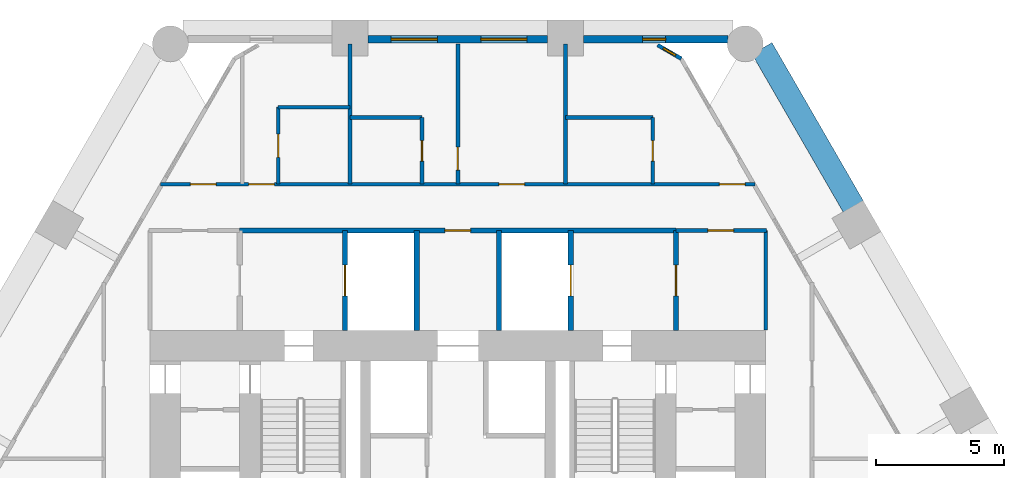
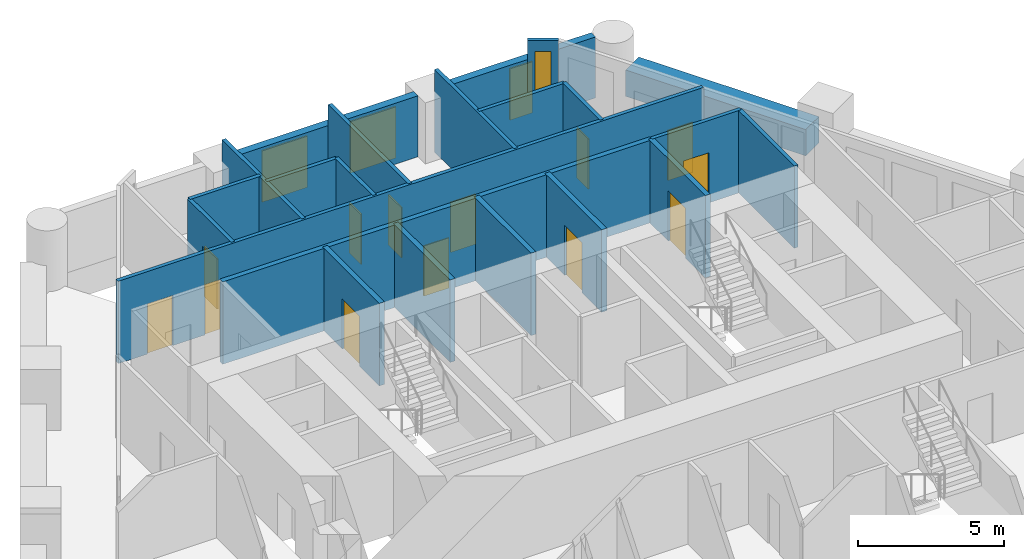
# One storey, part 6 of 8: 22 walls, 13 doors, 4 windows, 17 openings.
"""IFC4 building model written with IfcOpenShell, lengths in metres."""

from ifc_helpers import new_model, si_unit, direction, frame, frame_2d, origin, place, context, subcontext, project, spatial, rectangle, extrude, material, layer, layer_set, type_object, element, fill, save


model = new_model("IFC4")

# Units and contexts
model_context = context("Model", 3, precision=1e-05, world=origin(), true_north=direction((0.0, 1.0)))
body_context = subcontext(model_context, "Body", "Model", "MODEL_VIEW")
ifc_project = project(units=[si_unit("LENGTHUNIT", "METRE"), si_unit("AREAUNIT", "SQUARE_METRE"), si_unit("VOLUMEUNIT", "CUBIC_METRE"), si_unit("PLANEANGLEUNIT", "RADIAN"), si_unit("MASSUNIT", "GRAM", prefix="KILO")], contexts=[model_context])

# Site, building, storey
site_placement = place(None, origin())
site = spatial("IfcSite", under=ifc_project, at=site_placement, CompositionType="ELEMENT")
building_placement = place(site_placement, origin())
building = spatial("IfcBuilding", under=site, at=building_placement, Name="Ostrander Bayou Hotel Tower", CompositionType="ELEMENT")
storey_placement = place(building_placement, frame((0.0, 0.0, 61.75)))
storey = spatial("IfcBuildingStorey", under=building, at=storey_placement, Name="L15", CompositionType="ELEMENT", Elevation=61.75)

# Wall, opening, window
ifc_material_1 = material(Name="Aluminium framed insulated wall", Category="aluminium")
ifc_layer_1 = layer(ifc_material_1, 0.14990234375)
ifc_layer_set_1 = layer_set([ifc_layer_1], Name="GW1 glass-line wall 150 mm")
wall_type_1 = type_object("IfcWallType", Name="GW1 glass-line wall 150 mm", PredefinedType="SOLIDWALL", material=ifc_layer_set_1)
wall_1_placement = place(storey_placement, frame((8.708984375, 20.29248046875, 0.0), z_axis=(0.0, 0.0, 1.0), x_axis=(-0.865990848561, 0.500059846627, 0.0)))
wall_1 = element("IfcWall", 1, at=wall_1_placement, inside=storey, type_object=wall_type_1, Name="GW1 L15 corner 6", PredefinedType="SOLIDWALL", context=body_context, shape_type="SweptSolid", body=[
    extrude(rectangle(XDim=1.064697265625, YDim=0.14990234375, at=frame_2d((0.5322265625, 0.0))), origin(), (0.0, 0.0, 1.0), 3.449951171875),
])
opening_1_placement = place(wall_1_placement, frame((0.257568359375, 0.0, 0.14990234375)))
opening_1 = element("IfcOpeningElement", 2, at=opening_1_placement, cuts=wall_1, Name="Opening W19", PredefinedType="OPENING", context=body_context, shape_type="SweptSolid", body=[
    extrude(rectangle(XDim=0.550048828125, YDim=2.85009765625, at=frame_2d((0.27490234375, 1.425048828125))), frame((0.0, 0.074951171875, 0.0), z_axis=(0.0, -1.0, 0.0), x_axis=(1.0, 0.0, 0.0)), (0.0, 0.0, 1.0), 0.14990234375),
])
ifc_material_2 = material(Name="Aluminium and clear glass", Category="aluminium")
window_type_1 = type_object("IfcWindowType", Name="W19 corner window 550 mm", PartitioningType="SINGLE_PANEL", PredefinedType="WINDOW", material=ifc_material_2)
window_1_placement = place(opening_1_placement, origin())
window_1 = element("IfcWindow", 3, at=window_1_placement, inside=storey, type_object=window_type_1, Name="W19 L15 corner 6", OverallHeight=2.85009765625, OverallWidth=0.550048828125, PartitioningType="SINGLE_PANEL", PredefinedType="WINDOW", context=body_context, shape_type="SweptSolid", body=[
    extrude(rectangle(XDim=0.550048828125, YDim=2.85009765625, at=frame_2d((0.27490234375, 1.425048828125))), frame((0.0, 0.030029296875, 0.0), z_axis=(0.0, -1.0, 0.0), x_axis=(1.0, 0.0, 0.0)), (0.0, 0.0, 1.0), 0.06005859375),
])
fill(opening_1, window_1)

ifc_material_3 = material(Name="Reconstituted stone on masonry backing", Category="masonry")
ifc_layer_2 = layer(ifc_material_3, 0.300048828125)
ifc_layer_set_2 = layer_set([ifc_layer_2], Name="NW1 north stone wall 300 mm")
wall_type_2 = type_object("IfcWallType", Name="NW1 north stone wall 300 mm", PredefinedType="SOLIDWALL", material=ifc_layer_set_2)
wall_2_placement = place(storey_placement, frame((10.526123046875, 21.050048828125, 0.0), z_axis=(0.0, 0.0, 1.0), x_axis=(-1.0, 0.0, 0.0)))
wall_2 = element("IfcWall", 4, at=wall_2_placement, inside=storey, type_object=wall_type_2, Name="NW1 L15 N-1", PredefinedType="SOLIDWALL", context=body_context, shape_type="SweptSolid", body=[
    extrude(rectangle(XDim=5.630615234375, YDim=0.300048828125, at=frame_2d((2.8154296875, 0.0))), origin(), (0.0, 0.0, 1.0), 2.550048828125),
])
opening_2_placement = place(wall_2_placement, frame((2.42333984375, 0.0, 0.14990234375)))
opening_2 = element("IfcOpeningElement", 5, at=opening_2_placement, cuts=wall_2, Name="Opening W15", PredefinedType="OPENING", context=body_context, shape_type="SweptSolid", body=[
    extrude(rectangle(XDim=0.89990234375, YDim=2.14990234375, at=frame_2d((0.449951171875, 1.074951171875))), frame((0.0, 0.14990234375, 0.0), z_axis=(0.0, -1.0, 0.0), x_axis=(1.0, 0.0, 0.0)), (0.0, 0.0, 1.0), 0.300048828125),
])
ifc_material_4 = material(Name="Aluminium and clear glass", Category="aluminium")
window_type_2 = type_object("IfcWindowType", Name="W15 window 900 mm, zone 1", PartitioningType="SINGLE_PANEL", PredefinedType="WINDOW", material=ifc_material_4)
window_2_placement = place(opening_2_placement, origin())
window_2 = element("IfcWindow", 6, at=window_2_placement, inside=storey, type_object=window_type_2, Name="W15 L15 north N-1", OverallHeight=2.14990234375, OverallWidth=0.89990234375, PartitioningType="SINGLE_PANEL", PredefinedType="WINDOW", context=body_context, shape_type="SweptSolid", body=[
    extrude(rectangle(XDim=0.89990234375, YDim=2.14990234375, at=frame_2d((0.449951171875, 1.074951171875))), frame((0.0, 0.030029296875, 0.0), z_axis=(0.0, -1.0, 0.0), x_axis=(1.0, 0.0, 0.0)), (0.0, 0.0, 1.0), 0.06005859375),
])
fill(opening_2, window_2)

# Wall, openings, windows
wall_3_placement = place(storey_placement, frame((3.495361328125, 21.050048828125, 0.0), z_axis=(0.0, 0.0, 1.0), x_axis=(-1.0, 0.0, 0.0)))
wall_3 = element("IfcWall", 7, at=wall_3_placement, inside=storey, type_object=wall_type_2, Name="NW1 L15 N-2", PredefinedType="SOLIDWALL", context=body_context, shape_type="SweptSolid", body=[
    extrude(rectangle(XDim=6.99072265625, YDim=0.300048828125, at=frame_2d((3.495361328125, 0.0))), origin(), (0.0, 0.0, 1.0), 2.550048828125),
])
opening_3_placement = place(wall_3_placement, frame((0.800048828125, 0.0, 0.14990234375)))
opening_3 = element("IfcOpeningElement", 8, at=opening_3_placement, cuts=wall_3, Name="Opening W1", PredefinedType="OPENING", context=body_context, shape_type="SweptSolid", body=[
    extrude(rectangle(XDim=1.800048828125, YDim=2.14990234375, at=frame_2d((0.89990234375, 1.074951171875))), frame((0.0, 0.14990234375, 0.0), z_axis=(0.0, -1.0, 0.0), x_axis=(1.0, 0.0, 0.0)), (0.0, 0.0, 1.0), 0.300048828125),
])
opening_4_placement = place(wall_3_placement, frame((4.29541015625, 0.0, 0.14990234375)))
opening_4 = element("IfcOpeningElement", 9, at=opening_4_placement, cuts=wall_3, Name="Opening W1", PredefinedType="OPENING", context=body_context, shape_type="SweptSolid", body=[
    extrude(rectangle(XDim=1.800048828125, YDim=2.14990234375, at=frame_2d((0.89990234375, 1.074951171875))), frame((0.0, 0.14990234375, 0.0), z_axis=(0.0, -1.0, 0.0), x_axis=(1.0, 0.0, 0.0)), (0.0, 0.0, 1.0), 0.300048828125),
])
ifc_material_5 = material(Name="Aluminium and clear glass", Category="aluminium")
window_type_3 = type_object("IfcWindowType", Name="W1 fixed window 1800 mm, zone 1", PartitioningType="SINGLE_PANEL", PredefinedType="WINDOW", material=ifc_material_5)
window_3_placement = place(opening_3_placement, origin())
window_3 = element("IfcWindow", 10, at=window_3_placement, inside=storey, type_object=window_type_3, Name="W1 L15 north N-2", OverallHeight=2.14990234375, OverallWidth=1.800048828125, PartitioningType="SINGLE_PANEL", PredefinedType="WINDOW", context=body_context, shape_type="SweptSolid", body=[
    extrude(rectangle(XDim=1.800048828125, YDim=2.14990234375, at=frame_2d((0.89990234375, 1.074951171875))), frame((0.0, 0.030029296875, 0.0), z_axis=(0.0, -1.0, 0.0), x_axis=(1.0, 0.0, 0.0)), (0.0, 0.0, 1.0), 0.06005859375),
])
fill(opening_3, window_3)
window_4_placement = place(opening_4_placement, origin())
window_4 = element("IfcWindow", 11, at=window_4_placement, inside=storey, type_object=window_type_3, Name="W1 L15 north N-2-2", OverallHeight=2.14990234375, OverallWidth=1.800048828125, PartitioningType="SINGLE_PANEL", PredefinedType="WINDOW", context=body_context, shape_type="SweptSolid", body=[
    extrude(rectangle(XDim=1.800048828125, YDim=2.14990234375, at=frame_2d((0.89990234375, 1.074951171875))), frame((0.0, 0.030029296875, 0.0), z_axis=(0.0, -1.0, 0.0), x_axis=(1.0, 0.0, 0.0)), (0.0, 0.0, 1.0), 0.06005859375),
])
fill(opening_4, window_4)

# Wall
ifc_material_6 = material(Name="Concrete f'c 40 MPa", Category="concrete")
ifc_layer_3 = layer(ifc_material_6, 0.89990234375)
ifc_layer_set_3 = layer_set([ifc_layer_3], Name="PA1 stone-faced parapet 900 mm")
wall_type_3 = type_object("IfcWallType", Name="PA1 stone-faced parapet 900 mm", PredefinedType="PARAPET", material=ifc_layer_set_3)
wall_4_placement = place(storey_placement, frame((15.419189453125, 14.5205078125, 0.0), z_axis=(0.0, 0.0, 1.0), x_axis=(-0.500013966327, 0.866017340172, 0.0)))
element("IfcWall", 12, at=wall_4_placement, inside=storey, type_object=wall_type_3, Name="PA1 L15 NE-3", PredefinedType="PARAPET", context=body_context, shape_type="SweptSolid", body=[
    extrude(rectangle(XDim=7.128662109375, YDim=0.89990234375, at=frame_2d((3.564453125, 0.0))), origin(), (0.0, 0.0, 1.0), 1.10009765625),
])

# Wall, opening, door
ifc_material_7 = material(Name="Masonry block", Category="masonry")
ifc_layer_4 = layer(ifc_material_7, 0.199951171875)
ifc_layer_set_4 = layer_set([ifc_layer_4], Name="PT5 stair enclosure wall 200 mm masonry, 2 hour")
wall_type_4 = type_object("IfcWallType", Name="PT5 stair enclosure wall 200 mm masonry, 2 hour", PredefinedType="PARTITIONING", material=ifc_layer_set_4)
wall_5_placement = place(storey_placement, frame((-8.5, 13.60009765625, 0.0), z_axis=(0.0, 0.0, 1.0), x_axis=(1.0, 0.0, 0.0)))
wall_5 = element("IfcWall", 13, at=wall_5_placement, inside=storey, type_object=wall_type_4, Name="cs:L15:025", PredefinedType="PARTITIONING", context=body_context, shape_type="SweptSolid", body=[
    extrude(rectangle(XDim=17.0, YDim=0.199951171875, at=frame_2d((8.5, 0.0))), origin(), (0.0, 0.0, 1.0), 3.449951171875),
])
opening_5_placement = place(wall_5_placement, frame((8.0, 0.0, 0.0)))
opening_5 = element("IfcOpeningElement", 14, at=opening_5_placement, cuts=wall_5, Name="Opening T15-013", PredefinedType="OPENING", context=body_context, shape_type="SweptSolid", body=[
    extrude(rectangle(XDim=1.0, YDim=2.10009765625, at=frame_2d((0.5, 1.050048828125))), frame((0.0, 0.10009765625, 0.0), z_axis=(0.0, -1.0, 0.0), x_axis=(1.0, 0.0, 0.0)), (0.0, 0.0, 1.0), 0.199951171875),
])
ifc_material_8 = material(Name="Timber door leaf", Category="wood")
door_type_1 = type_object("IfcDoorType", Name="D9 service door 1000 x 2100 mm, 30 minute", OperationType="SINGLE_SWING_LEFT", PredefinedType="DOOR", material=ifc_material_8)
door_1_placement = place(opening_5_placement, origin())
door_1 = element("IfcDoor", 15, at=door_1_placement, inside=storey, type_object=door_type_1, Name="dr:L15:013", OperationType="SINGLE_SWING_LEFT", OverallHeight=2.10009765625, OverallWidth=1.0, PredefinedType="DOOR", context=body_context, shape_type="SweptSolid", body=[
    extrude(rectangle(XDim=1.0, YDim=2.10009765625, at=frame_2d((0.5, 1.050048828125))), frame((0.0, 0.02490234375, 0.0), z_axis=(0.0, -1.0, 0.0), x_axis=(1.0, 0.0, 0.0)), (0.0, 0.0, 1.0), 0.050048828125),
])
fill(opening_5, door_1)

wall_6_placement = place(storey_placement, frame((8.5, 9.699951171875, 0.0), z_axis=(0.0, 0.0, 1.0), x_axis=(0.0, 1.0, 0.0)))
wall_6 = element("IfcWall", 16, at=wall_6_placement, inside=storey, type_object=wall_type_4, Name="cs:L15:027", PredefinedType="PARTITIONING", context=body_context, shape_type="SweptSolid", body=[
    extrude(rectangle(XDim=3.900146484375, YDim=0.199951171875, at=frame_2d((1.9501953125, 0.0))), origin(), (0.0, 0.0, 1.0), 3.449951171875),
])
opening_6_placement = place(wall_6_placement, frame((1.35009765625, 0.0, 0.0)))
opening_6 = element("IfcOpeningElement", 17, at=opening_6_placement, cuts=wall_6, Name="Opening T15-012", PredefinedType="OPENING", context=body_context, shape_type="SweptSolid", body=[
    extrude(rectangle(XDim=1.199951171875, YDim=2.10009765625, at=frame_2d((0.60009765625, 1.050048828125))), frame((0.0, 0.10009765625, 0.0), z_axis=(0.0, -1.0, 0.0), x_axis=(1.0, 0.0, 0.0)), (0.0, 0.0, 1.0), 0.199951171875),
])
ifc_material_9 = material(Name="Timber door leaf", Category="wood")
door_type_2 = type_object("IfcDoorType", Name="D7 lobby door 1200 x 2100 mm, 1 hour", OperationType="SINGLE_SWING_LEFT", PredefinedType="DOOR", material=ifc_material_9)
door_2_placement = place(opening_6_placement, origin())
door_2 = element("IfcDoor", 18, at=door_2_placement, inside=storey, type_object=door_type_2, Name="dr:L15:012", OperationType="SINGLE_SWING_LEFT", OverallHeight=2.10009765625, OverallWidth=1.199951171875, PredefinedType="DOOR", context=body_context, shape_type="SweptSolid", body=[
    extrude(rectangle(XDim=1.199951171875, YDim=2.10009765625, at=frame_2d((0.60009765625, 1.050048828125))), frame((0.0, 0.02490234375, 0.0), z_axis=(0.0, -1.0, 0.0), x_axis=(1.0, 0.0, 0.0)), (0.0, 0.0, 1.0), 0.050048828125),
])
fill(opening_6, door_2)

wall_7_placement = place(storey_placement, frame((-4.39990234375, 9.699951171875, 0.0), z_axis=(0.0, 0.0, 1.0), x_axis=(0.0, 1.0, 0.0)))
wall_7 = element("IfcWall", 19, at=wall_7_placement, inside=storey, type_object=wall_type_4, Name="cs:L15:028", PredefinedType="PARTITIONING", context=body_context, shape_type="SweptSolid", body=[
    extrude(rectangle(XDim=3.900146484375, YDim=0.199951171875, at=frame_2d((1.9501953125, 0.0))), origin(), (0.0, 0.0, 1.0), 3.449951171875),
])
opening_7_placement = place(wall_7_placement, frame((1.35009765625, 0.0, 0.0)))
opening_7 = element("IfcOpeningElement", 20, at=opening_7_placement, cuts=wall_7, Name="Opening T15-009", PredefinedType="OPENING", context=body_context, shape_type="SweptSolid", body=[
    extrude(rectangle(XDim=1.199951171875, YDim=2.10009765625, at=frame_2d((0.60009765625, 1.050048828125))), frame((0.0, 0.10009765625, 0.0), z_axis=(0.0, -1.0, 0.0), x_axis=(1.0, 0.0, 0.0)), (0.0, 0.0, 1.0), 0.199951171875),
])
ifc_material_10 = material(Name="Stainless steel sliding door", Category="steel")
door_type_3 = type_object("IfcDoorType", Name="LD1 lift landing door 1200 x 2100 mm", OperationType="SINGLE_SWING_LEFT", PredefinedType="DOOR", material=ifc_material_10)
door_3_placement = place(opening_7_placement, origin())
door_3 = element("IfcDoor", 21, at=door_3_placement, inside=storey, type_object=door_type_3, Name="dr:L15:009", OperationType="SLIDING_TO_LEFT", OverallHeight=2.10009765625, OverallWidth=1.199951171875, PredefinedType="DOOR", context=body_context, shape_type="SweptSolid", body=[
    extrude(rectangle(XDim=1.199951171875, YDim=2.10009765625, at=frame_2d((0.60009765625, 1.050048828125))), frame((0.0, 0.02490234375, 0.0), z_axis=(0.0, -1.0, 0.0), x_axis=(1.0, 0.0, 0.0)), (0.0, 0.0, 1.0), 0.050048828125),
])
fill(opening_7, door_3)

wall_8_placement = place(storey_placement, frame((4.39990234375, 9.699951171875, 0.0), z_axis=(0.0, 0.0, 1.0), x_axis=(0.0, 1.0, 0.0)))
wall_8 = element("IfcWall", 22, at=wall_8_placement, inside=storey, type_object=wall_type_4, Name="cs:L15:029", PredefinedType="PARTITIONING", context=body_context, shape_type="SweptSolid", body=[
    extrude(rectangle(XDim=3.900146484375, YDim=0.199951171875, at=frame_2d((1.9501953125, 0.0))), origin(), (0.0, 0.0, 1.0), 3.449951171875),
])
opening_8_placement = place(wall_8_placement, frame((1.35009765625, 0.0, 0.0)))
opening_8 = element("IfcOpeningElement", 23, at=opening_8_placement, cuts=wall_8, Name="Opening T15-011", PredefinedType="OPENING", context=body_context, shape_type="SweptSolid", body=[
    extrude(rectangle(XDim=1.199951171875, YDim=2.10009765625, at=frame_2d((0.60009765625, 1.050048828125))), frame((0.0, 0.10009765625, 0.0), z_axis=(0.0, -1.0, 0.0), x_axis=(1.0, 0.0, 0.0)), (0.0, 0.0, 1.0), 0.199951171875),
])
door_4_placement = place(opening_8_placement, origin())
door_4 = element("IfcDoor", 24, at=door_4_placement, inside=storey, type_object=door_type_3, Name="dr:L15:011", OperationType="SLIDING_TO_LEFT", OverallHeight=2.10009765625, OverallWidth=1.199951171875, PredefinedType="DOOR", context=body_context, shape_type="SweptSolid", body=[
    extrude(rectangle(XDim=1.199951171875, YDim=2.10009765625, at=frame_2d((0.60009765625, 1.050048828125))), frame((0.0, 0.02490234375, 0.0), z_axis=(0.0, -1.0, 0.0), x_axis=(1.0, 0.0, 0.0)), (0.0, 0.0, 1.0), 0.050048828125),
])
fill(opening_8, door_4)

# Walls
ifc_material_11 = material(Name="Masonry block", Category="masonry")
ifc_layer_5 = layer(ifc_material_11, 0.199951171875)
ifc_layer_set_5 = layer_set([ifc_layer_5], Name="PT6 lift shaft wall 200 mm masonry, 2 hour")
wall_type_5 = type_object("IfcWallType", Name="PT6 lift shaft wall 200 mm masonry, 2 hour", PredefinedType="PARTITIONING", material=ifc_layer_set_5)
for number, where, z_axis, x_axis, name in (
    (25, (-1.60009765625, 9.699951171875, 0.0), (0.0, 0.0, 1.0), (0.0, 1.0, 0.0), "cs:L15:030"),
    (26, (1.60009765625, 9.699951171875, 0.0), (0.0, 0.0, 1.0), (0.0, 1.0, 0.0), "cs:L15:031"),
):
    element("IfcWall", number, at=place(storey_placement, frame(where, z_axis=z_axis, x_axis=x_axis)), inside=storey, type_object=wall_type_5, Name=name, PredefinedType="PARTITIONING", context=body_context, shape_type="SweptSolid", body=[
        extrude(rectangle(XDim=3.900146484375, YDim=0.199951171875, at=frame_2d((1.9501953125, 0.0))), origin(), (0.0, 0.0, 1.0), 3.449951171875),
    ])

# Wall, opening, door
ifc_material_12 = material(Name="Gypsum board partition", Category="finish")
ifc_layer_6 = layer(ifc_material_12, 0.14990234375)
ifc_layer_set_6 = layer_set([ifc_layer_6], Name="PT8 service band wall 150 mm, 1 hour")
wall_type_6 = type_object("IfcWallType", Name="PT8 service band wall 150 mm, 1 hour", PredefinedType="PARTITIONING", material=ifc_layer_set_6)
wall_9_placement = place(storey_placement, frame((8.510009765625, 13.60009765625, 0.0), z_axis=(0.0, 0.0, 1.0), x_axis=(1.0, 0.0, 0.0)))
wall_9 = element("IfcWall", 27, at=wall_9_placement, inside=storey, type_object=wall_type_6, Name="gw:L15:011", PredefinedType="PARTITIONING", context=body_context, shape_type="SweptSolid", body=[
    extrude(rectangle(XDim=3.530029296875, YDim=0.14990234375, at=frame_2d((1.76513671875, 0.0))), origin(), (0.0, 0.0, 1.0), 3.449951171875),
])
opening_9_placement = place(wall_9_placement, frame((1.239990234375, 0.0, 0.0)))
opening_9 = element("IfcOpeningElement", 28, at=opening_9_placement, cuts=wall_9, Name="Opening T15-422", PredefinedType="OPENING", context=body_context, shape_type="SweptSolid", body=[
    extrude(rectangle(XDim=1.0, YDim=2.10009765625, at=frame_2d((0.5, 1.050048828125))), frame((0.0, 0.074951171875, 0.0), z_axis=(0.0, -1.0, 0.0), x_axis=(1.0, 0.0, 0.0)), (0.0, 0.0, 1.0), 0.14990234375),
])
door_5_placement = place(opening_9_placement, origin())
door_5 = element("IfcDoor", 29, at=door_5_placement, inside=storey, type_object=door_type_1, Name="dr:L15:422", OperationType="SINGLE_SWING_LEFT", OverallHeight=2.10009765625, OverallWidth=1.0, PredefinedType="DOOR", context=body_context, shape_type="SweptSolid", body=[
    extrude(rectangle(XDim=1.0, YDim=2.10009765625, at=frame_2d((0.5, 1.050048828125))), frame((0.0, 0.02490234375, 0.0), z_axis=(0.0, -1.0, 0.0), x_axis=(1.0, 0.0, 0.0)), (0.0, 0.0, 1.0), 0.050048828125),
])
fill(opening_9, door_5)

# Wall, openings, doors
wall_10_placement = place(storey_placement, frame((-11.5859375, 15.39990234375, 0.0), z_axis=(0.0, 0.0, 1.0), x_axis=(1.0, 0.0, 0.0)))
wall_10 = element("IfcWall", 30, at=wall_10_placement, inside=storey, type_object=wall_type_6, Name="gw:L15:012", PredefinedType="PARTITIONING", context=body_context, shape_type="SweptSolid", body=[
    extrude(rectangle(XDim=23.171875, YDim=0.14990234375, at=frame_2d((11.5859375, 0.0))), origin(), (0.0, 0.0, 1.0), 3.449951171875),
])
opening_10_placement = place(wall_10_placement, frame((1.1640625, 0.0, 0.0)))
opening_10 = element("IfcOpeningElement", 31, at=opening_10_placement, cuts=wall_10, Name="Opening T15-413", PredefinedType="OPENING", context=body_context, shape_type="SweptSolid", body=[
    extrude(rectangle(XDim=1.0, YDim=2.10009765625, at=frame_2d((0.5, 1.050048828125))), frame((0.0, 0.074951171875, 0.0), z_axis=(0.0, -1.0, 0.0), x_axis=(1.0, 0.0, 0.0)), (0.0, 0.0, 1.0), 0.14990234375),
])
opening_11_placement = place(wall_10_placement, frame((3.43603515625, 0.0, 0.0)))
opening_11 = element("IfcOpeningElement", 32, at=opening_11_placement, cuts=wall_10, Name="Opening T15-414", PredefinedType="OPENING", context=body_context, shape_type="SweptSolid", body=[
    extrude(rectangle(XDim=1.0, YDim=2.10009765625, at=frame_2d((0.5, 1.050048828125))), frame((0.0, 0.074951171875, 0.0), z_axis=(0.0, -1.0, 0.0), x_axis=(1.0, 0.0, 0.0)), (0.0, 0.0, 1.0), 0.14990234375),
])
opening_12_placement = place(wall_10_placement, frame((13.18603515625, 0.0, 0.0)))
opening_12 = element("IfcOpeningElement", 33, at=opening_12_placement, cuts=wall_10, Name="Opening T15-416", PredefinedType="OPENING", context=body_context, shape_type="SweptSolid", body=[
    extrude(rectangle(XDim=1.0, YDim=2.10009765625, at=frame_2d((0.5, 1.050048828125))), frame((0.0, 0.074951171875, 0.0), z_axis=(0.0, -1.0, 0.0), x_axis=(1.0, 0.0, 0.0)), (0.0, 0.0, 1.0), 0.14990234375),
])
opening_13_placement = place(wall_10_placement, frame((21.781005859375, 0.0, 0.0)))
opening_13 = element("IfcOpeningElement", 34, at=opening_13_placement, cuts=wall_10, Name="Opening T15-419", PredefinedType="OPENING", context=body_context, shape_type="SweptSolid", body=[
    extrude(rectangle(XDim=1.0, YDim=2.10009765625, at=frame_2d((0.5, 1.050048828125))), frame((0.0, 0.074951171875, 0.0), z_axis=(0.0, -1.0, 0.0), x_axis=(1.0, 0.0, 0.0)), (0.0, 0.0, 1.0), 0.14990234375),
])
ifc_material_13 = material(Name="Timber door leaf", Category="wood")
door_type_4 = type_object("IfcDoorType", Name="D1 guest room door 1000 x 2100 mm, 30 minute", OperationType="SINGLE_SWING_LEFT", PredefinedType="DOOR", material=ifc_material_13)
door_6_placement = place(opening_11_placement, origin())
door_6 = element("IfcDoor", 35, at=door_6_placement, inside=storey, type_object=door_type_4, Name="dr:L15:414", OperationType="SINGLE_SWING_LEFT", OverallHeight=2.10009765625, OverallWidth=1.0, PredefinedType="DOOR", context=body_context, shape_type="SweptSolid", body=[
    extrude(rectangle(XDim=1.0, YDim=2.10009765625, at=frame_2d((0.5, 1.050048828125))), frame((0.0, 0.02490234375, 0.0), z_axis=(0.0, -1.0, 0.0), x_axis=(1.0, 0.0, 0.0)), (0.0, 0.0, 1.0), 0.050048828125),
])
fill(opening_11, door_6)
door_7_placement = place(opening_12_placement, origin())
door_7 = element("IfcDoor", 36, at=door_7_placement, inside=storey, type_object=door_type_4, Name="dr:L15:416", OperationType="SINGLE_SWING_RIGHT", OverallHeight=2.10009765625, OverallWidth=1.0, PredefinedType="DOOR", context=body_context, shape_type="SweptSolid", body=[
    extrude(rectangle(XDim=1.0, YDim=2.10009765625, at=frame_2d((0.5, 1.050048828125))), frame((0.0, 0.02490234375, 0.0), z_axis=(0.0, -1.0, 0.0), x_axis=(1.0, 0.0, 0.0)), (0.0, 0.0, 1.0), 0.050048828125),
])
fill(opening_12, door_7)
door_8_placement = place(opening_13_placement, origin())
door_8 = element("IfcDoor", 37, at=door_8_placement, inside=storey, type_object=door_type_4, Name="dr:L15:419", OperationType="SINGLE_SWING_RIGHT", OverallHeight=2.10009765625, OverallWidth=1.0, PredefinedType="DOOR", context=body_context, shape_type="SweptSolid", body=[
    extrude(rectangle(XDim=1.0, YDim=2.10009765625, at=frame_2d((0.5, 1.050048828125))), frame((0.0, 0.02490234375, 0.0), z_axis=(0.0, -1.0, 0.0), x_axis=(1.0, 0.0, 0.0)), (0.0, 0.0, 1.0), 0.050048828125),
])
fill(opening_13, door_8)
ifc_material_14 = material(Name="Timber door leaf", Category="wood")
door_type_5 = type_object("IfcDoorType", Name="D15 room door 1000 x 2100 mm", OperationType="SINGLE_SWING_LEFT", PredefinedType="DOOR", material=ifc_material_14)
door_9_placement = place(opening_10_placement, origin())
door_9 = element("IfcDoor", 38, at=door_9_placement, inside=storey, type_object=door_type_5, Name="dr:L15:413", OperationType="SINGLE_SWING_LEFT", OverallHeight=2.10009765625, OverallWidth=1.0, PredefinedType="DOOR", context=body_context, shape_type="SweptSolid", body=[
    extrude(rectangle(XDim=1.0, YDim=2.10009765625, at=frame_2d((0.5, 1.050048828125))), frame((0.0, 0.02490234375, 0.0), z_axis=(0.0, -1.0, 0.0), x_axis=(1.0, 0.0, 0.0)), (0.0, 0.0, 1.0), 0.050048828125),
])
fill(opening_10, door_9)

# Walls
wall_11_placement = place(storey_placement, frame((-4.199951171875, 18.0, 0.0), z_axis=(0.0, 0.0, 1.0), x_axis=(1.0, 0.0, 0.0)))
element("IfcWall", 39, at=wall_11_placement, inside=storey, type_object=wall_type_6, Name="gw:L15:013", PredefinedType="PARTITIONING", context=body_context, shape_type="SweptSolid", body=[
    extrude(rectangle(XDim=2.800048828125, YDim=0.14990234375, at=frame_2d((1.39990234375, 0.0))), origin(), (0.0, 0.0, 1.0), 3.449951171875),
])
wall_12_placement = place(storey_placement, frame((4.199951171875, 18.0, 0.0), z_axis=(0.0, 0.0, 1.0), x_axis=(1.0, 0.0, 0.0)))
element("IfcWall", 40, at=wall_12_placement, inside=storey, type_object=wall_type_6, Name="gw:L15:014", PredefinedType="PARTITIONING", context=body_context, shape_type="SweptSolid", body=[
    extrude(rectangle(XDim=3.400146484375, YDim=0.14990234375, at=frame_2d((1.7001953125, 0.0))), origin(), (0.0, 0.0, 1.0), 3.449951171875),
])
wall_13_placement = place(storey_placement, frame((-7.0, 18.39990234375, 0.0), z_axis=(0.0, 0.0, 1.0), x_axis=(1.0, 0.0, 0.0)))
element("IfcWall", 41, at=wall_13_placement, inside=storey, type_object=wall_type_6, Name="gw:L15:015", PredefinedType="PARTITIONING", context=body_context, shape_type="SweptSolid", body=[
    extrude(rectangle(XDim=2.800048828125, YDim=0.14990234375, at=frame_2d((1.39990234375, 0.0))), origin(), (0.0, 0.0, 1.0), 3.449951171875),
])
wall_14_placement = place(storey_placement, frame((12.0, 9.7099609375, 0.0), z_axis=(0.0, 0.0, 1.0), x_axis=(0.0, 1.0, 0.0)))
element("IfcWall", 42, at=wall_14_placement, inside=storey, type_object=wall_type_6, Name="gw:L15:018", PredefinedType="PARTITIONING", context=body_context, shape_type="SweptSolid", body=[
    extrude(rectangle(XDim=3.89013671875, YDim=0.14990234375, at=frame_2d((1.945068359375, 0.0))), origin(), (0.0, 0.0, 1.0), 3.449951171875),
])

# Wall, opening, door
wall_15_placement = place(storey_placement, frame((7.60009765625, 15.39990234375, 0.0), z_axis=(0.0, 0.0, 1.0), x_axis=(0.0, 1.0, 0.0)))
wall_15 = element("IfcWall", 43, at=wall_15_placement, inside=storey, type_object=wall_type_6, Name="gw:L15:020", PredefinedType="PARTITIONING", context=body_context, shape_type="SweptSolid", body=[
    extrude(rectangle(XDim=2.60009765625, YDim=0.14990234375, at=frame_2d((1.300048828125, 0.0))), origin(), (0.0, 0.0, 1.0), 3.449951171875),
])
opening_14_placement = place(wall_15_placement, frame((0.89990234375, 0.0, 0.0)))
opening_14 = element("IfcOpeningElement", 44, at=opening_14_placement, cuts=wall_15, Name="Opening T15-420", PredefinedType="OPENING", context=body_context, shape_type="SweptSolid", body=[
    extrude(rectangle(XDim=0.800048828125, YDim=2.10009765625, at=frame_2d((0.39990234375, 1.050048828125))), frame((0.0, 0.074951171875, 0.0), z_axis=(0.0, -1.0, 0.0), x_axis=(1.0, 0.0, 0.0)), (0.0, 0.0, 1.0), 0.14990234375),
])
ifc_material_15 = material(Name="Timber door leaf", Category="wood")
door_type_6 = type_object("IfcDoorType", Name="D2 bathroom door 800 x 2100 mm", OperationType="SINGLE_SWING_LEFT", PredefinedType="DOOR", material=ifc_material_15)
door_10_placement = place(opening_14_placement, origin())
door_10 = element("IfcDoor", 45, at=door_10_placement, inside=storey, type_object=door_type_6, Name="dr:L15:420", OperationType="SINGLE_SWING_LEFT", OverallHeight=2.10009765625, OverallWidth=0.800048828125, PredefinedType="DOOR", context=body_context, shape_type="SweptSolid", body=[
    extrude(rectangle(XDim=0.800048828125, YDim=2.10009765625, at=frame_2d((0.39990234375, 1.050048828125))), frame((0.0, 0.02490234375, 0.0), z_axis=(0.0, -1.0, 0.0), x_axis=(1.0, 0.0, 0.0)), (0.0, 0.0, 1.0), 0.050048828125),
])
fill(opening_14, door_10)

# Wall
wall_16_placement = place(storey_placement, frame((4.199951171875, 15.39990234375, 0.0), z_axis=(0.0, 0.0, 1.0), x_axis=(0.0, 1.0, 0.0)))
element("IfcWall", 46, at=wall_16_placement, inside=storey, type_object=wall_type_6, Name="gw:L15:022", PredefinedType="PARTITIONING", context=body_context, shape_type="SweptSolid", body=[
    extrude(rectangle(XDim=5.47021484375, YDim=0.14990234375, at=frame_2d((2.735107421875, 0.0))), origin(), (0.0, 0.0, 1.0), 3.449951171875),
])

# Wall, opening, door
wall_17_placement = place(storey_placement, frame((0.0, 15.39990234375, 0.0), z_axis=(0.0, 0.0, 1.0), x_axis=(0.0, 1.0, 0.0)))
wall_17 = element("IfcWall", 47, at=wall_17_placement, inside=storey, type_object=wall_type_6, Name="gw:L15:025", PredefinedType="PARTITIONING", context=body_context, shape_type="SweptSolid", body=[
    extrude(rectangle(XDim=5.47021484375, YDim=0.14990234375, at=frame_2d((2.735107421875, 0.0))), origin(), (0.0, 0.0, 1.0), 3.449951171875),
])
opening_15_placement = place(wall_17_placement, frame((0.550048828125, 0.0, 0.0)))
opening_15 = element("IfcOpeningElement", 48, at=opening_15_placement, cuts=wall_17, Name="Opening T15-417", PredefinedType="OPENING", context=body_context, shape_type="SweptSolid", body=[
    extrude(rectangle(XDim=0.89990234375, YDim=2.10009765625, at=frame_2d((0.449951171875, 1.050048828125))), frame((0.0, 0.074951171875, 0.0), z_axis=(0.0, -1.0, 0.0), x_axis=(1.0, 0.0, 0.0)), (0.0, 0.0, 1.0), 0.14990234375),
])
ifc_material_16 = material(Name="Timber door leaf", Category="wood")
door_type_7 = type_object("IfcDoorType", Name="D8 room door 900 x 2100 mm", OperationType="SINGLE_SWING_LEFT", PredefinedType="DOOR", material=ifc_material_16)
door_11_placement = place(opening_15_placement, origin())
door_11 = element("IfcDoor", 49, at=door_11_placement, inside=storey, type_object=door_type_7, Name="dr:L15:417", OperationType="SINGLE_SWING_LEFT", OverallHeight=2.10009765625, OverallWidth=0.89990234375, PredefinedType="DOOR", context=body_context, shape_type="SweptSolid", body=[
    extrude(rectangle(XDim=0.89990234375, YDim=2.10009765625, at=frame_2d((0.449951171875, 1.050048828125))), frame((0.0, 0.02490234375, 0.0), z_axis=(0.0, -1.0, 0.0), x_axis=(1.0, 0.0, 0.0)), (0.0, 0.0, 1.0), 0.050048828125),
])
fill(opening_15, door_11)

wall_18_placement = place(storey_placement, frame((-1.39990234375, 15.39990234375, 0.0), z_axis=(0.0, 0.0, 1.0), x_axis=(0.0, 1.0, 0.0)))
wall_18 = element("IfcWall", 50, at=wall_18_placement, inside=storey, type_object=wall_type_6, Name="gw:L15:026", PredefinedType="PARTITIONING", context=body_context, shape_type="SweptSolid", body=[
    extrude(rectangle(XDim=2.60009765625, YDim=0.14990234375, at=frame_2d((1.300048828125, 0.0))), origin(), (0.0, 0.0, 1.0), 3.449951171875),
])
opening_16_placement = place(wall_18_placement, frame((0.89990234375, 0.0, 0.0)))
opening_16 = element("IfcOpeningElement", 51, at=opening_16_placement, cuts=wall_18, Name="Opening T15-418", PredefinedType="OPENING", context=body_context, shape_type="SweptSolid", body=[
    extrude(rectangle(XDim=0.800048828125, YDim=2.10009765625, at=frame_2d((0.39990234375, 1.050048828125))), frame((0.0, 0.074951171875, 0.0), z_axis=(0.0, -1.0, 0.0), x_axis=(1.0, 0.0, 0.0)), (0.0, 0.0, 1.0), 0.14990234375),
])
door_12_placement = place(opening_16_placement, origin())
door_12 = element("IfcDoor", 52, at=door_12_placement, inside=storey, type_object=door_type_6, Name="dr:L15:418", OperationType="SINGLE_SWING_LEFT", OverallHeight=2.10009765625, OverallWidth=0.800048828125, PredefinedType="DOOR", context=body_context, shape_type="SweptSolid", body=[
    extrude(rectangle(XDim=0.800048828125, YDim=2.10009765625, at=frame_2d((0.39990234375, 1.050048828125))), frame((0.0, 0.02490234375, 0.0), z_axis=(0.0, -1.0, 0.0), x_axis=(1.0, 0.0, 0.0)), (0.0, 0.0, 1.0), 0.050048828125),
])
fill(opening_16, door_12)

# Wall
wall_19_placement = place(storey_placement, frame((-4.199951171875, 15.39990234375, 0.0), z_axis=(0.0, 0.0, 1.0), x_axis=(0.0, 1.0, 0.0)))
element("IfcWall", 53, at=wall_19_placement, inside=storey, type_object=wall_type_6, Name="gw:L15:029", PredefinedType="PARTITIONING", context=body_context, shape_type="SweptSolid", body=[
    extrude(rectangle(XDim=5.47021484375, YDim=0.14990234375, at=frame_2d((2.735107421875, 0.0))), origin(), (0.0, 0.0, 1.0), 3.449951171875),
])

# Wall, opening, door
wall_20_placement = place(storey_placement, frame((-7.0, 15.39990234375, 0.0), z_axis=(0.0, 0.0, 1.0), x_axis=(0.0, 1.0, 0.0)))
wall_20 = element("IfcWall", 54, at=wall_20_placement, inside=storey, type_object=wall_type_6, Name="gw:L15:030", PredefinedType="PARTITIONING", context=body_context, shape_type="SweptSolid", body=[
    extrude(rectangle(XDim=3.0, YDim=0.14990234375, at=frame_2d((1.5, 0.0))), origin(), (0.0, 0.0, 1.0), 3.449951171875),
])
opening_17_placement = place(wall_20_placement, frame((1.050048828125, 0.0, 0.0)))
opening_17 = element("IfcOpeningElement", 55, at=opening_17_placement, cuts=wall_20, Name="Opening T15-415", PredefinedType="OPENING", context=body_context, shape_type="SweptSolid", body=[
    extrude(rectangle(XDim=0.89990234375, YDim=2.10009765625, at=frame_2d((0.449951171875, 1.050048828125))), frame((0.0, 0.074951171875, 0.0), z_axis=(0.0, -1.0, 0.0), x_axis=(1.0, 0.0, 0.0)), (0.0, 0.0, 1.0), 0.14990234375),
])
ifc_material_17 = material(Name="Timber door leaf", Category="wood")
door_type_8 = type_object("IfcDoorType", Name="D14 bathroom door 900 x 2100 mm", OperationType="SINGLE_SWING_LEFT", PredefinedType="DOOR", material=ifc_material_17)
door_13_placement = place(opening_17_placement, origin())
door_13 = element("IfcDoor", 56, at=door_13_placement, inside=storey, type_object=door_type_8, Name="dr:L15:415", OperationType="SINGLE_SWING_LEFT", OverallHeight=2.10009765625, OverallWidth=0.89990234375, PredefinedType="DOOR", context=body_context, shape_type="SweptSolid", body=[
    extrude(rectangle(XDim=0.89990234375, YDim=2.10009765625, at=frame_2d((0.449951171875, 1.050048828125))), frame((0.0, 0.02490234375, 0.0), z_axis=(0.0, -1.0, 0.0), x_axis=(1.0, 0.0, 0.0)), (0.0, 0.0, 1.0), 0.050048828125),
])
fill(opening_17, door_13)

save(model, "model.ifc")
